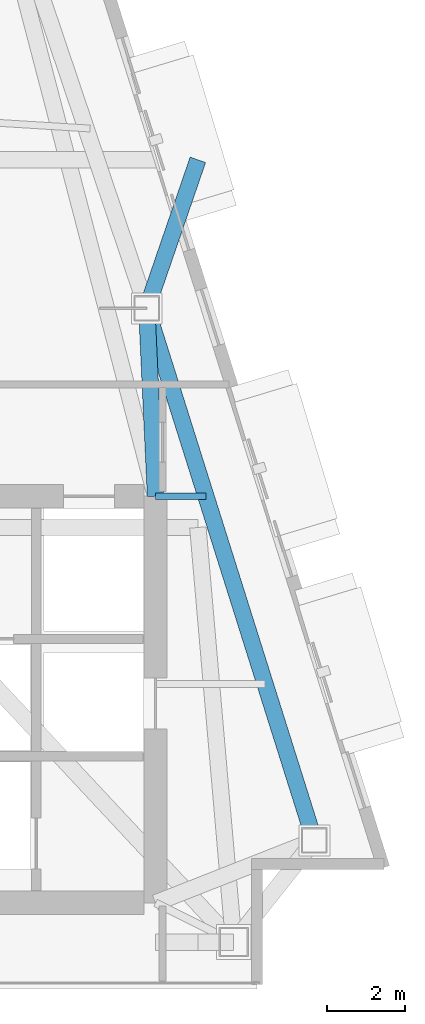
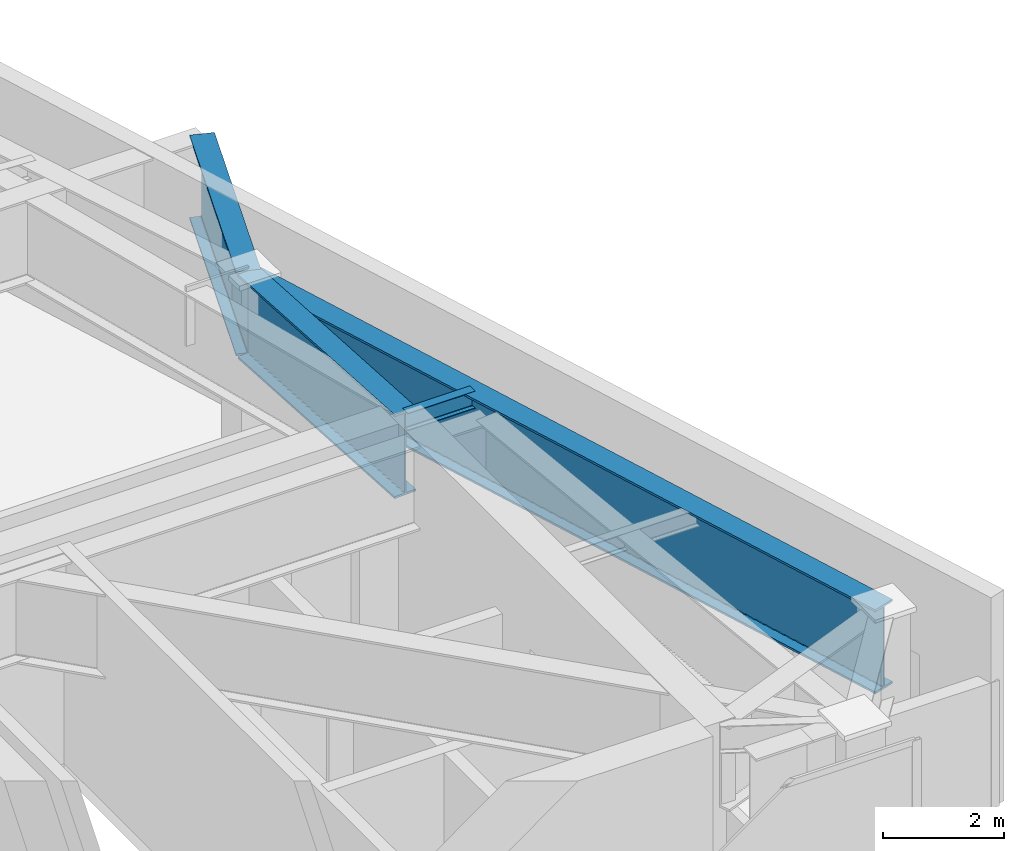
# One storey, part 13 of 25: 4 beams.
"""IFC4 building model written with IfcOpenShell, lengths in metres."""

from ifc_helpers import new_model, si_unit, direction, frame, origin, origin_2d, place, context, subcontext, project, spatial, i_section, extrude, material, material_profile, profile_set, type_object, element, save


model = new_model("IFC4")

# Units and contexts
model_context = context("Model", 3, precision=1e-05, world=origin(), true_north=direction((0.0, 1.0)))
body_context = subcontext(model_context, "Body", "Model", "MODEL_VIEW")
ifc_project = project(units=[si_unit("LENGTHUNIT", "METRE"), si_unit("AREAUNIT", "SQUARE_METRE"), si_unit("VOLUMEUNIT", "CUBIC_METRE"), si_unit("PLANEANGLEUNIT", "RADIAN"), si_unit("MASSUNIT", "GRAM", prefix="KILO")], contexts=[model_context])

# Site, building, storey
site_placement = place(None, origin())
site = spatial("IfcSite", under=ifc_project, at=site_placement, CompositionType="ELEMENT")
building_placement = place(site_placement, origin())
building = spatial("IfcBuilding", under=site, at=building_placement, Name="Calvorn Quay Hotel", CompositionType="ELEMENT")
storey_placement = place(building_placement, frame((0.0, 0.0, 316.0)))
storey = spatial("IfcBuildingStorey", under=building, at=storey_placement, Name="L78", CompositionType="ELEMENT", Elevation=316.0)

# Beams
ifc_material_1 = material(Name="Steel Q355B", Category="steel")
ifc_material_profile_1 = material_profile(ifc_material_1, i_section(OverallWidth=0.175048828125, OverallDepth=0.35009765625, WebThickness=0.007080078125, FlangeThickness=0.010986328125, FilletRadius=0.013916015625, at=origin_2d()), Name="HN350x175x7x11")
ifc_profile_set_1 = profile_set([ifc_material_profile_1], Name="Steel Q355B")
beam_type_1 = type_object("IfcBeamType", Name="BM-JOIST-SEC", PredefinedType="JOIST", material=ifc_profile_set_1)
beam_1_placement = place(storey_placement, frame((32.39990234375, 15.0, 4.06494140625), z_axis=(1.0, 0.0, 0.0), x_axis=(0.0, 1.0, 0.0)))
element("IfcBeam", 1, at=beam_1_placement, inside=storey, type_object=beam_type_1, Name="Beam BJ-L78-E2", PredefinedType="JOIST", context=body_context, shape_type="SweptSolid", body=[
    extrude(i_section(OverallWidth=0.175048828125, OverallDepth=0.35009765625, WebThickness=0.007080078125, FlangeThickness=0.010986328125, FilletRadius=0.013916015625, at=origin_2d()), origin(), (0.0, 0.0, 1.0), 1.2880859375),
])
ifc_material_2 = material(Name="Steel Q420GJC", Category="steel")
ifc_material_profile_2 = material_profile(ifc_material_2, i_section(OverallWidth=0.419921875, OverallDepth=1.699951171875, WebThickness=0.02392578125, FlangeThickness=0.0419921875, FilletRadius=0.02392578125, at=origin_2d()), Name="HN1700x420x24x42")
ifc_profile_set_2 = profile_set([ifc_material_profile_2], Name="Steel Q420GJC")
beam_type_2 = type_object("IfcBeamType", Name="BM-XFER-SAWTOOTH", PredefinedType="BEAM", material=ifc_profile_set_2)
beam_2_placement = place(storey_placement, frame((33.48291015625, 23.60009765625, 3.389892578125), z_axis=(-0.325217297753, -0.945639312446, 0.0), x_axis=(0.945639312446, -0.325217297753, 0.0)))
element("IfcBeam", 2, at=beam_2_placement, inside=storey, type_object=beam_type_2, Name="Beam BTG-L78-C-CR3B", PredefinedType="BEAM", context=body_context, shape_type="SweptSolid", body=[
    extrude(i_section(OverallWidth=0.419921875, OverallDepth=1.699951171875, WebThickness=0.02392578125, FlangeThickness=0.0419921875, FilletRadius=0.02392578125, at=origin_2d()), origin(), (0.0, 0.0, 1.0), 4.0185546875),
])
beam_3_placement = place(storey_placement, frame((36.4609375, 6.199951171875, 3.389892578125), z_axis=(-0.300502802767, 0.953780931624, 0.0), x_axis=(-0.953780931624, -0.300502802767, 0.0)))
element("IfcBeam", 3, at=beam_3_placement, inside=storey, type_object=beam_type_2, Name="Beam BSP-L78-E1", PredefinedType="BEAM", context=body_context, shape_type="SweptSolid", body=[
    extrude(i_section(OverallWidth=0.419921875, OverallDepth=1.699951171875, WebThickness=0.02392578125, FlangeThickness=0.0419921875, FilletRadius=0.02392578125, at=origin_2d()), origin(), (0.0, 0.0, 1.0), 14.259033203125),
])
beam_4_placement = place(storey_placement, frame((32.39990234375, 15.0, 3.389892578125), z_axis=(-0.046589910492, 0.998914100531, 0.0), x_axis=(-0.998914100531, -0.046589910492, 0.0)))
element("IfcBeam", 4, at=beam_4_placement, inside=storey, type_object=beam_type_2, Name="Beam BTG-L78-02", PredefinedType="BEAM", context=body_context, shape_type="SweptSolid", body=[
    extrude(i_section(OverallWidth=0.419921875, OverallDepth=1.699951171875, WebThickness=0.02392578125, FlangeThickness=0.0419921875, FilletRadius=0.02392578125, at=origin_2d()), origin(), (0.0, 0.0, 1.0), 4.80517578125),
])

save(model, "model.ifc")
